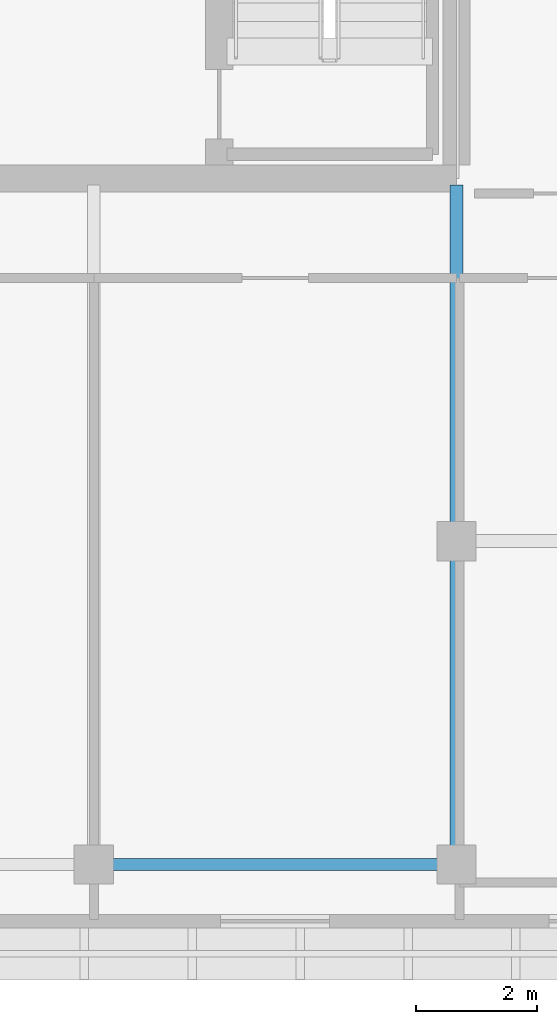
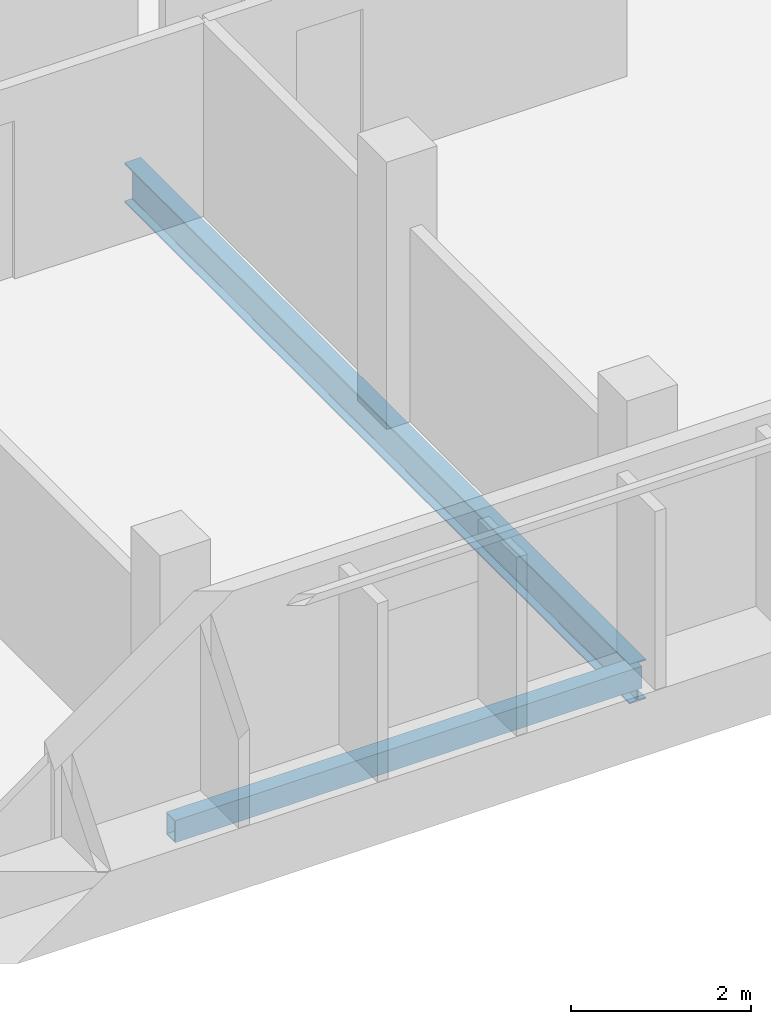
# One storey, part 15 of 28: 2 beams.
"""IFC4 building model written with IfcOpenShell, lengths in metres."""

from ifc_helpers import new_model, si_unit, direction, frame, origin, origin_2d, place, context, subcontext, project, spatial, hollow_rectangle, i_section, extrude, material, material_profile, profile_set, type_object, element, save


model = new_model("IFC4")

# Units and contexts
model_context = context("Model", 3, precision=1e-05, world=origin(), true_north=direction((0.0, 1.0)))
body_context = subcontext(model_context, "Body", "Model", "MODEL_VIEW")
ifc_project = project(units=[si_unit("LENGTHUNIT", "METRE"), si_unit("AREAUNIT", "SQUARE_METRE"), si_unit("VOLUMEUNIT", "CUBIC_METRE"), si_unit("PLANEANGLEUNIT", "RADIAN"), si_unit("MASSUNIT", "GRAM", prefix="KILO")], contexts=[model_context])

# Site, building, storey
site_placement = place(None, origin())
site = spatial("IfcSite", under=ifc_project, at=site_placement, CompositionType="ELEMENT")
building_placement = place(site_placement, origin())
building = spatial("IfcBuilding", under=site, at=building_placement, Name="Tanjung Sevakor Pilgrim Tower", CompositionType="ELEMENT")
storey_placement = place(building_placement, frame((0.0, 0.0, 242.550048828125)))
storey = spatial("IfcBuildingStorey", under=building, at=storey_placement, Name="L68", CompositionType="ELEMENT", Elevation=242.550048828125)

# Beams
ifc_material_1 = material(Name="Steel S355J2", Category="steel")
ifc_material_profile_1 = material_profile(ifc_material_1, i_section(OverallWidth=0.210693359375, OverallDepth=0.53955078125, WebThickness=0.01171875, FlangeThickness=0.018798828125, FilletRadius=0.0126953125, at=origin_2d()))
ifc_profile_set_1 = profile_set([ifc_material_profile_1], Name="Steel S355J2")
beam_type_1 = type_object("IfcBeamType", Name="BM-B-G6-UB_533x210x109", PredefinedType="BEAM", material=ifc_profile_set_1)
beam_1_placement = place(storey_placement, frame((90.0, 13.25, -0.48974609375), z_axis=(0.0, 1.0, 0.0), x_axis=(-1.0, 0.0, 0.0)))
element("IfcBeam", 1, at=beam_1_placement, inside=storey, type_object=beam_type_1, Name="L68 EAST Girder 009", PredefinedType="BEAM", context=body_context, shape_type="SweptSolid", body=[
    extrude(i_section(OverallWidth=0.210693359375, OverallDepth=0.53955078125, WebThickness=0.01171875, FlangeThickness=0.018798828125, FilletRadius=0.0126953125, at=origin_2d()), origin(), (0.0, 0.0, 1.0), 11.243896484375),
])
ifc_material_2 = material(Name="Steel S355J2", Category="steel")
ifc_material_profile_2 = material_profile(ifc_material_2, hollow_rectangle(XDim=0.199951171875, YDim=0.300048828125, WallThickness=0.012451171875, at=origin_2d()))
ifc_profile_set_2 = profile_set([ifc_material_profile_2], Name="Steel S355J2")
beam_type_2 = type_object("IfcBeamType", Name="BM-B-SP3-RHS_300x200x12.5", PredefinedType="SPANDREL", material=ifc_profile_set_2)
beam_2_placement = place(storey_placement, frame((84.0, 13.25, -0.3701171875), z_axis=(1.0, 0.0, 0.0), x_axis=(0.0, 1.0, 0.0)))
element("IfcBeam", 2, at=beam_2_placement, inside=storey, type_object=beam_type_2, Name="L68 Spandrel EAST S-05", PredefinedType="SPANDREL", context=body_context, shape_type="SweptSolid", body=[
    extrude(hollow_rectangle(XDim=0.199951171875, YDim=0.300048828125, WallThickness=0.012451171875, at=origin_2d()), origin(), (0.0, 0.0, 1.0), 6.0),
])

save(model, "model.ifc")
